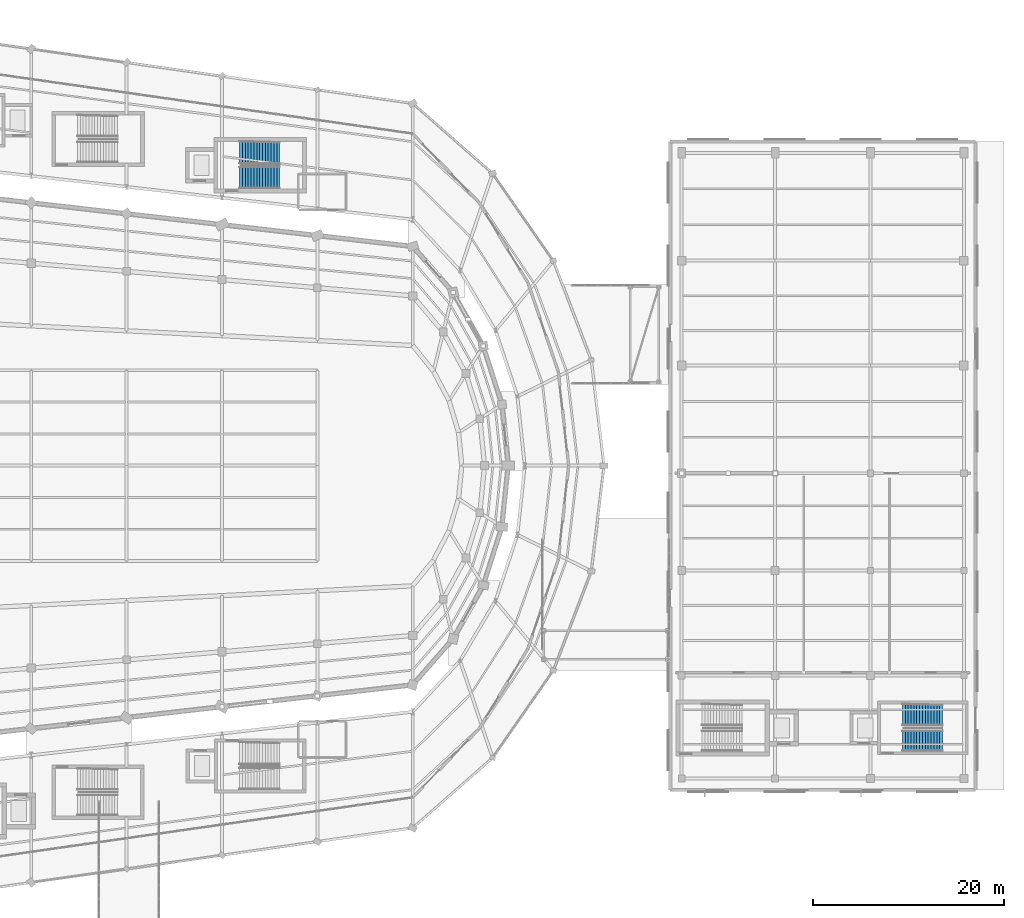
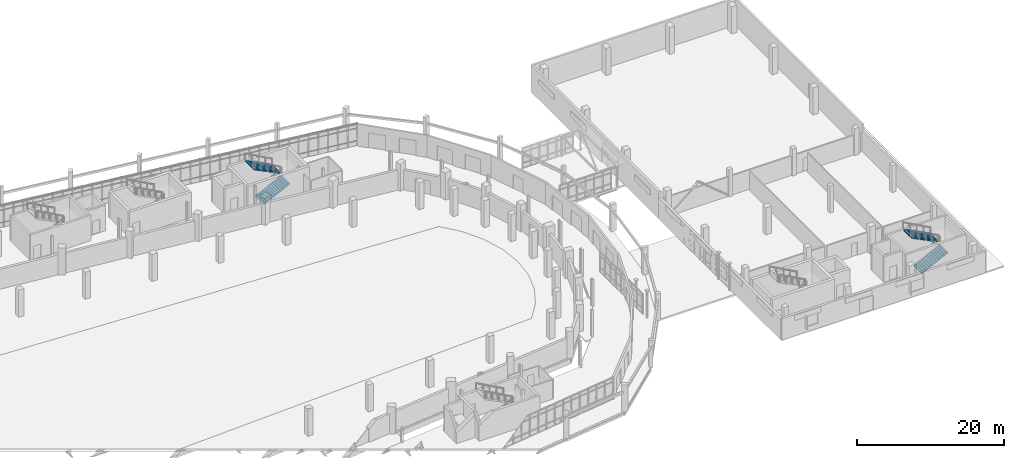
# One storey, part 113 of 122: 4 stair flights, 2 elements without a shape of their own.
"""IFC4 building model written with IfcOpenShell, lengths in metres."""

from ifc_helpers import new_model, si_unit, direction, frame, origin, place, context, subcontext, project, spatial, polyline, outline, extrude, material, type_object, element, aggregate, save


model = new_model("IFC4")

# Units and contexts
model_context = context("Model", 3, precision=1e-05, world=origin(), true_north=direction((0.0, 1.0)))
body_context = subcontext(model_context, "Body", "Model", "MODEL_VIEW")
ifc_project = project(units=[si_unit("LENGTHUNIT", "METRE"), si_unit("AREAUNIT", "SQUARE_METRE"), si_unit("VOLUMEUNIT", "CUBIC_METRE"), si_unit("PLANEANGLEUNIT", "RADIAN"), si_unit("MASSUNIT", "GRAM", prefix="KILO")], contexts=[model_context])

# Site, building, storey
site_placement = place(None, origin())
site = spatial("IfcSite", under=ifc_project, at=site_placement, CompositionType="ELEMENT")
building_placement = place(site_placement, origin())
building = spatial("IfcBuilding", under=site, at=building_placement, Name="Sohan Crest Arena", CompositionType="ELEMENT")
storey_placement = place(building_placement, origin())
storey = spatial("IfcBuildingStorey", under=building, at=storey_placement, Name="L00", CompositionType="ELEMENT", Elevation=0.0)

# Stair, stair flights
ifc_material = material(Name="Concrete C40/50", Category="concrete")
stair_type_1 = type_object("IfcStairType", Name="ST-450W", PredefinedType="TWO_STRAIGHT_RUN_STAIR", material=ifc_material)
stair_1_placement = place(storey_placement, origin())
stair_1 = element("IfcStair", 1, at=stair_1_placement, inside=storey, type_object=stair_type_1, Name="Protected exit stair ST16-L00", PredefinedType="TWO_STRAIGHT_RUN_STAIR")
stair_flight_type_1 = type_object("IfcStairFlightType", Name="FL-220-15", PredefinedType="STRAIGHT", material=ifc_material)
stair_flight_1_placement = place(storey_placement, frame((219.35009765625, 49.14990234375, 0.0), z_axis=(0.0, 0.0, 1.0), x_axis=(1.0, 0.0, 0.0)))
stair_flight_1 = element("IfcStairFlight", 2, at=stair_flight_1_placement, type_object=stair_flight_type_1, Name="ST16-L00 flight 1", NumberOfRisers=15, NumberOfTreads=14, PredefinedType="STRAIGHT", RiserHeight=0.15, TreadLength=0.3, context=body_context, shape_type="SweptSolid", body=[
    extrude(outline(polyline([(0.0, 0.0), (0.0, 0.14990234375), (0.300048828125, 0.14990234375), (0.300048828125, 0.300048828125), (0.60009765625, 0.300048828125), (0.60009765625, 0.449951171875), (0.89990234375, 0.449951171875), (0.89990234375, 0.60009765625), (1.199951171875, 0.60009765625), (1.199951171875, 0.75), (1.5, 0.75), (1.5, 0.89990234375), (1.800048828125, 0.89990234375), (1.800048828125, 1.050048828125), (2.10009765625, 1.050048828125), (2.10009765625, 1.199951171875), (2.39990234375, 1.199951171875), (2.39990234375, 1.35009765625), (2.699951171875, 1.35009765625), (2.699951171875, 1.5), (3.0, 1.5), (3.0, 1.64990234375), (3.300048828125, 1.64990234375), (3.300048828125, 1.800048828125), (3.60009765625, 1.800048828125), (3.60009765625, 1.949951171875), (3.89990234375, 1.949951171875), (3.89990234375, 2.10009765625), (4.199951171875, 2.10009765625), (4.199951171875, 2.25), (4.199951171875, 1.932373046875), (0.335205078125, 0.0), (0.0, 0.0)])), frame((0.0, 1.10009765625, 0.0), z_axis=(0.0, -1.0, 0.0), x_axis=(1.0, 0.0, 0.0)), (0.0, 0.0, 1.0), 2.199951171875),
])
stair_flight_2_placement = place(storey_placement, frame((223.550048828125, 51.85009765625, 2.25), z_axis=(0.0, 0.0, 1.0), x_axis=(-1.0, 0.0, 0.0)))
stair_flight_2 = element("IfcStairFlight", 3, at=stair_flight_2_placement, type_object=stair_flight_type_1, Name="ST16-L00 flight 2", NumberOfRisers=15, NumberOfTreads=14, PredefinedType="STRAIGHT", RiserHeight=0.15, TreadLength=0.3, context=body_context, shape_type="SweptSolid", body=[
    extrude(outline(polyline([(0.0, 0.0), (0.0, 0.14990234375), (0.300048828125, 0.14990234375), (0.300048828125, 0.300048828125), (0.60009765625, 0.300048828125), (0.60009765625, 0.449951171875), (0.89990234375, 0.449951171875), (0.89990234375, 0.60009765625), (1.199951171875, 0.60009765625), (1.199951171875, 0.75), (1.5, 0.75), (1.5, 0.89990234375), (1.800048828125, 0.89990234375), (1.800048828125, 1.050048828125), (2.10009765625, 1.050048828125), (2.10009765625, 1.199951171875), (2.39990234375, 1.199951171875), (2.39990234375, 1.35009765625), (2.699951171875, 1.35009765625), (2.699951171875, 1.5), (3.0, 1.5), (3.0, 1.64990234375), (3.300048828125, 1.64990234375), (3.300048828125, 1.800048828125), (3.60009765625, 1.800048828125), (3.60009765625, 1.949951171875), (3.89990234375, 1.949951171875), (3.89990234375, 2.10009765625), (4.199951171875, 2.10009765625), (4.199951171875, 2.25), (4.199951171875, 1.932373046875), (0.335205078125, 0.0), (0.0, 0.0)])), frame((0.0, 1.10009765625, 0.0), z_axis=(0.0, -1.0, 0.0), x_axis=(1.0, 0.0, 0.0)), (0.0, 0.0, 1.0), 2.199951171875),
])
aggregate(stair_1, [stair_flight_1, stair_flight_2])

stair_type_2 = type_object("IfcStairType", Name="ST-450", PredefinedType="TWO_STRAIGHT_RUN_STAIR", material=ifc_material)
stair_2_placement = place(storey_placement, origin())
stair_2 = element("IfcStair", 4, at=stair_2_placement, inside=storey, type_object=stair_type_2, Name="Protected exit stair ST10-L00", PredefinedType="TWO_STRAIGHT_RUN_STAIR")
stair_flight_type_2 = type_object("IfcStairFlightType", Name="FL-260-15", PredefinedType="STRAIGHT", material=ifc_material)
stair_flight_3_placement = place(storey_placement, frame((149.85009765625, 108.199951171875, 0.0), z_axis=(0.0, 0.0, 1.0), x_axis=(1.0, 0.0, 0.0)))
stair_flight_3 = element("IfcStairFlight", 5, at=stair_flight_3_placement, type_object=stair_flight_type_2, Name="ST10-L00 flight 1", NumberOfRisers=15, NumberOfTreads=14, PredefinedType="STRAIGHT", RiserHeight=0.15, TreadLength=0.3, context=body_context, shape_type="SweptSolid", body=[
    extrude(outline(polyline([(0.0, 0.0), (0.0, 0.14990234375), (0.300048828125, 0.14990234375), (0.300048828125, 0.300048828125), (0.60009765625, 0.300048828125), (0.60009765625, 0.449951171875), (0.89990234375, 0.449951171875), (0.89990234375, 0.60009765625), (1.199951171875, 0.60009765625), (1.199951171875, 0.75), (1.5, 0.75), (1.5, 0.89990234375), (1.800048828125, 0.89990234375), (1.800048828125, 1.050048828125), (2.10009765625, 1.050048828125), (2.10009765625, 1.199951171875), (2.39990234375, 1.199951171875), (2.39990234375, 1.35009765625), (2.699951171875, 1.35009765625), (2.699951171875, 1.5), (3.0, 1.5), (3.0, 1.64990234375), (3.300048828125, 1.64990234375), (3.300048828125, 1.800048828125), (3.60009765625, 1.800048828125), (3.60009765625, 1.949951171875), (3.89990234375, 1.949951171875), (3.89990234375, 2.10009765625), (4.199951171875, 2.10009765625), (4.199951171875, 2.25), (4.199951171875, 1.932373046875), (0.335205078125, 0.0), (0.0, 0.0)])), frame((0.0, 1.14990234375, 0.0), z_axis=(0.0, -1.0, 0.0), x_axis=(1.0, 0.0, 0.0)), (0.0, 0.0, 1.0), 2.300048828125),
])
stair_flight_4_placement = place(storey_placement, frame((154.050048828125, 110.800048828125, 2.25), z_axis=(0.0, 0.0, 1.0), x_axis=(-1.0, 0.0, 0.0)))
stair_flight_4 = element("IfcStairFlight", 6, at=stair_flight_4_placement, type_object=stair_flight_type_2, Name="ST10-L00 flight 2", NumberOfRisers=15, NumberOfTreads=14, PredefinedType="STRAIGHT", RiserHeight=0.15, TreadLength=0.3, context=body_context, shape_type="SweptSolid", body=[
    extrude(outline(polyline([(0.0, 0.0), (0.0, 0.14990234375), (0.300048828125, 0.14990234375), (0.300048828125, 0.300048828125), (0.60009765625, 0.300048828125), (0.60009765625, 0.449951171875), (0.89990234375, 0.449951171875), (0.89990234375, 0.60009765625), (1.199951171875, 0.60009765625), (1.199951171875, 0.75), (1.5, 0.75), (1.5, 0.89990234375), (1.800048828125, 0.89990234375), (1.800048828125, 1.050048828125), (2.10009765625, 1.050048828125), (2.10009765625, 1.199951171875), (2.39990234375, 1.199951171875), (2.39990234375, 1.35009765625), (2.699951171875, 1.35009765625), (2.699951171875, 1.5), (3.0, 1.5), (3.0, 1.64990234375), (3.300048828125, 1.64990234375), (3.300048828125, 1.800048828125), (3.60009765625, 1.800048828125), (3.60009765625, 1.949951171875), (3.89990234375, 1.949951171875), (3.89990234375, 2.10009765625), (4.199951171875, 2.10009765625), (4.199951171875, 2.25), (4.199951171875, 1.932373046875), (0.335205078125, 0.0), (0.0, 0.0)])), frame((0.0, 1.14990234375, 0.0), z_axis=(0.0, -1.0, 0.0), x_axis=(1.0, 0.0, 0.0)), (0.0, 0.0, 1.0), 2.300048828125),
])
aggregate(stair_2, [stair_flight_3, stair_flight_4])

save(model, "model.ifc")
